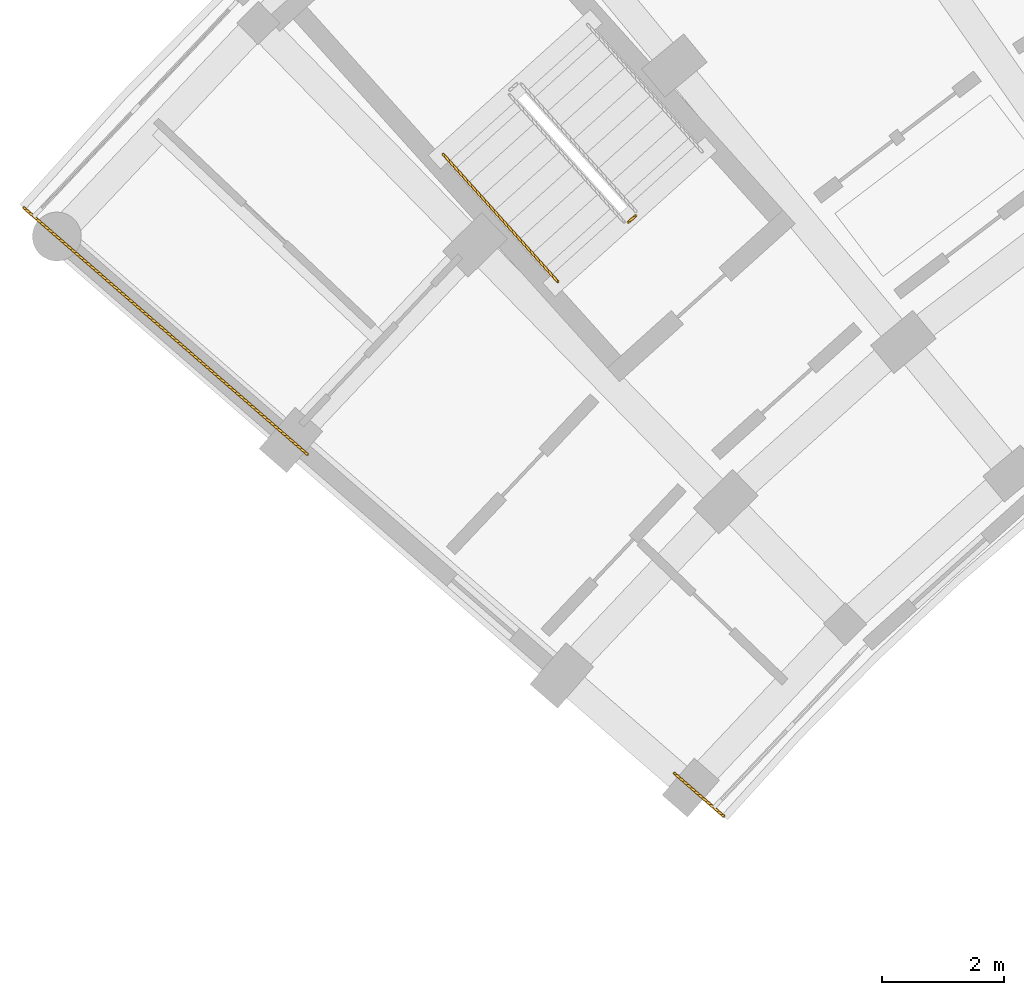
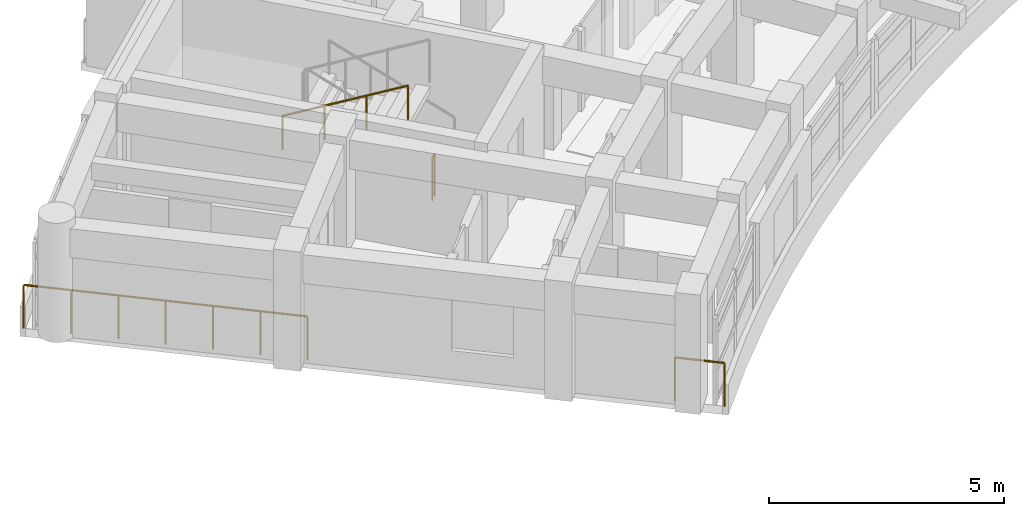
# One storey, part 59 of 70: 4 railings.
"""IFC4 building model written with IfcOpenShell, lengths in metres."""

from ifc_helpers import new_model, si_unit, direction, frame, origin, origin_2d, place, context, subcontext, project, spatial, circle, extrude, material, type_object, element, save


model = new_model("IFC4")

# Units and contexts
model_context = context("Model", 3, precision=1e-05, world=origin(), true_north=direction((0.0, 1.0)))
body_context = subcontext(model_context, "Body", "Model", "MODEL_VIEW")
ifc_project = project(units=[si_unit("LENGTHUNIT", "METRE"), si_unit("AREAUNIT", "SQUARE_METRE"), si_unit("VOLUMEUNIT", "CUBIC_METRE"), si_unit("PLANEANGLEUNIT", "RADIAN"), si_unit("MASSUNIT", "GRAM", prefix="KILO")], contexts=[model_context])

# Site, building, storey
site_placement = place(None, origin())
site = spatial("IfcSite", under=ifc_project, at=site_placement, CompositionType="ELEMENT")
building_placement = place(site_placement, origin())
building = spatial("IfcBuilding", under=site, at=building_placement, Name="Zimvara Arc Housing Community", CompositionType="ELEMENT")
storey_placement = place(building_placement, frame((0.0, 0.0, 8.10009765625)))
storey = spatial("IfcBuildingStorey", under=building, at=storey_placement, Name="L02", CompositionType="ELEMENT", Elevation=8.10009765625)

# Railings
ifc_material_1 = material(Name="Anodised Aluminium AW-6063", Category="aluminium")
railing_type_1 = type_object("IfcRailingType", Name="RLG-BAL-1120", PredefinedType="BALUSTRADE", material=ifc_material_1)
railing_1_placement = place(storey_placement, frame((10.0439453125, 83.469482421875, 0.0)))
element("IfcRailing", 1, at=railing_1_placement, inside=storey, type_object=railing_type_1, Name="L02 ST-A1 stair guard 4", PredefinedType="BALUSTRADE", context=body_context, shape_type="SweptSolid", body=[
    extrude(circle(Radius=0.02392578125, at=origin_2d()), frame((0.0, 0.0, 1.09619140625), z_axis=(-0.742763048172, -0.669554369913, 0.0), x_axis=(0.669554369913, -0.742763048172, 0.0)), (0.0, 0.0, 1.0), 0.16015625),
    extrude(circle(Radius=0.02099609375, at=origin_2d()), origin(), (0.0, 0.0, 1.0), 1.072021484375),
    extrude(circle(Radius=0.02099609375, at=origin_2d()), frame((-0.118896484375, -0.107177734375, 0.0)), (0.0, 0.0, 1.0), 1.072021484375),
])
ifc_material_2 = material(Name="Anodised Aluminium AW-6063", Category="aluminium")
railing_type_2 = type_object("IfcRailingType", Name="RLG-BAL-1150", PredefinedType="BALUSTRADE", material=ifc_material_2)
railing_2_placement = place(storey_placement, frame((11.490966796875, 73.62890625, 0.0)))
element("IfcRailing", 2, at=railing_2_placement, inside=storey, type_object=railing_type_2, Name="rlg:blkA:L02:gable_in:g0", PredefinedType="BALUSTRADE", context=body_context, shape_type="SweptSolid", body=[
    extrude(circle(Radius=0.02392578125, at=origin_2d()), frame((0.0, 0.0, 1.1259765625), z_axis=(-0.754659042762, 0.656117161167, 0.0), x_axis=(-0.656117161167, -0.754659042762, 0.0)), (0.0, 0.0, 1.0), 1.080322265625),
    extrude(circle(Radius=0.02099609375, at=origin_2d()), origin(), (0.0, 0.0, 1.0), 1.101806640625),
    extrude(circle(Radius=0.02099609375, at=origin_2d()), frame((-0.815185546875, 0.708740234375, 0.0)), (0.0, 0.0, 1.0), 1.101806640625),
])
railing_3_placement = place(storey_placement, frame((4.668212890625, 79.559814453125, 0.0)))
element("IfcRailing", 3, at=railing_3_placement, inside=storey, type_object=railing_type_2, Name="rlg:blkA:L02:gable_out:g0", PredefinedType="BALUSTRADE", context=body_context, shape_type="SweptSolid", body=[
    extrude(circle(Radius=0.02392578125, at=origin_2d()), frame((0.0, 0.0, 1.1259765625), z_axis=(-0.754708757217, 0.656059975749, 0.0), x_axis=(-0.656059975749, -0.754708757217, 0.0)), (0.0, 0.0, 1.0), 6.159912109375),
    extrude(circle(Radius=0.02099609375, at=origin_2d()), origin(), (0.0, 0.0, 1.0), 1.101806640625),
    extrude(circle(Radius=0.02099609375, at=origin_2d()), frame((-0.77490234375, 0.673583984375, 0.0)), (0.0, 0.0, 1.0), 1.101806640625),
    extrude(circle(Radius=0.02099609375, at=origin_2d()), frame((-1.549560546875, 1.34716796875, 0.0)), (0.0, 0.0, 1.0), 1.101806640625),
    extrude(circle(Radius=0.02099609375, at=origin_2d()), frame((-2.324462890625, 2.0205078125, 0.0)), (0.0, 0.0, 1.0), 1.101806640625),
    extrude(circle(Radius=0.02099609375, at=origin_2d()), frame((-3.099365234375, 2.694091796875, 0.0)), (0.0, 0.0, 1.0), 1.101806640625),
    extrude(circle(Radius=0.02099609375, at=origin_2d()), frame((-3.8740234375, 3.36767578125, 0.0)), (0.0, 0.0, 1.0), 1.101806640625),
    extrude(circle(Radius=0.02099609375, at=origin_2d()), frame((-4.64892578125, 4.041259765625, 0.0)), (0.0, 0.0, 1.0), 1.101806640625),
])
ifc_material_3 = material(Name="Anodised Aluminium AW-6063", Category="aluminium")
railing_type_3 = type_object("IfcRailingType", Name="RLG-HND-900", PredefinedType="HANDRAIL", material=ifc_material_3)
railing_4_placement = place(storey_placement, frame((6.890869140625, 84.476806640625, 1.704833984375)))
element("IfcRailing", 4, at=railing_4_placement, inside=storey, type_object=railing_type_3, Name="L02 ST-A1 stair handrail 2", PredefinedType="HANDRAIL", context=body_context, shape_type="SweptSolid", body=[
    extrude(circle(Radius=0.02392578125, at=origin_2d()), frame((0.0, 0.0, 0.8759765625), z_axis=(0.599067985855, -0.665717608404, 0.444901802856), x_axis=(0.743337374551, 0.668916697052, 0.0)), (0.0, 0.0, 1.0), 3.135498046875),
    extrude(circle(Radius=0.02099609375, at=origin_2d()), origin(), (0.0, 0.0, 1.0), 0.851806640625),
    extrude(circle(Radius=0.02099609375, at=origin_2d()), frame((0.626220703125, -0.69580078125, 0.465087890625)), (0.0, 0.0, 1.0), 0.851806640625),
    extrude(circle(Radius=0.02099609375, at=origin_2d()), frame((1.252197265625, -1.3916015625, 0.929931640625)), (0.0, 0.0, 1.0), 0.851806640625),
    extrude(circle(Radius=0.02099609375, at=origin_2d()), frame((1.87841796875, -2.08740234375, 1.39501953125)), (0.0, 0.0, 1.0), 0.851806640625),
])

save(model, "model.ifc")
